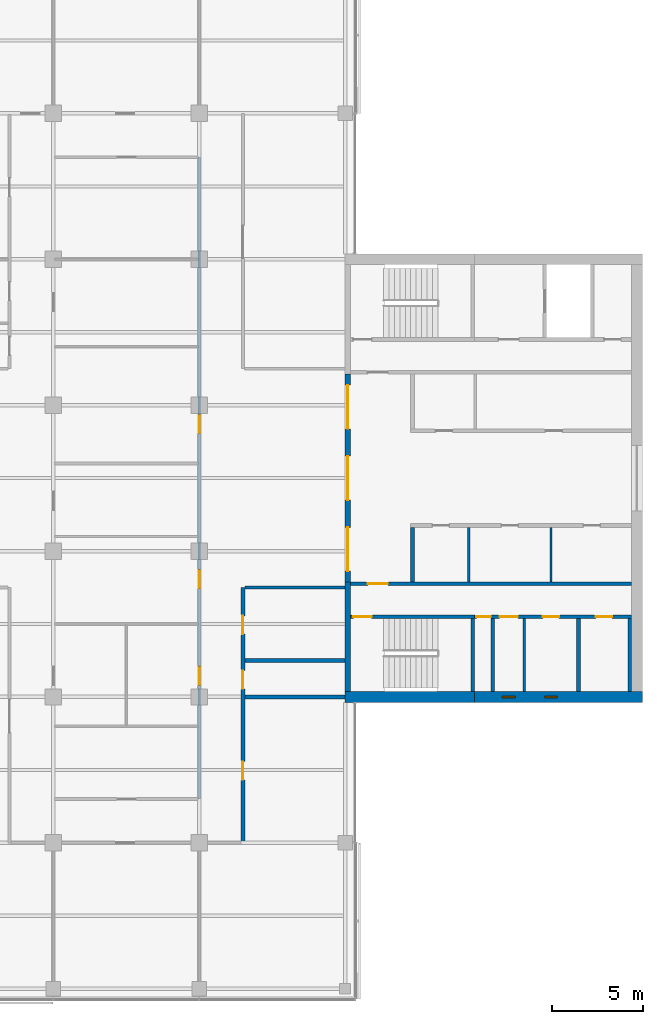
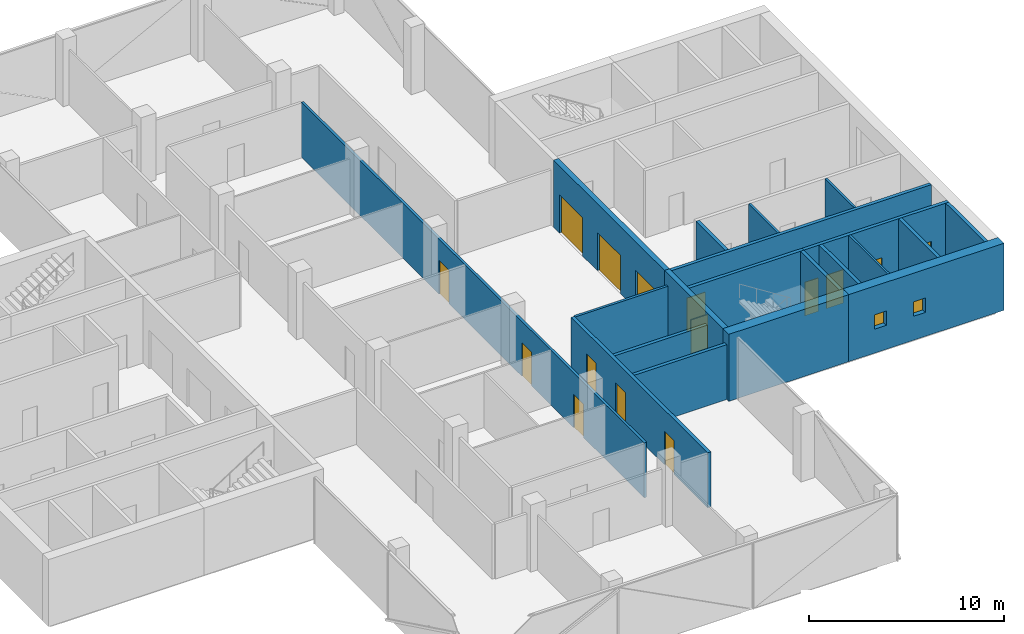
# One storey, part 10 of 15: 20 walls, 15 doors, 2 windows, 17 openings.
"""IFC4 building model written with IfcOpenShell, lengths in metres."""

from ifc_helpers import new_model, si_unit, direction, frame, frame_2d, origin, place, context, subcontext, project, spatial, rectangle, extrude, material, layer, layer_set, constituent, constituent_set, type_object, element, fill, save


model = new_model("IFC4")

# Units and contexts
model_context = context("Model", 3, precision=1e-05, world=origin(), true_north=direction((0.0, 1.0)))
body_context = subcontext(model_context, "Body", "Model", "MODEL_VIEW")
ifc_project = project(units=[si_unit("LENGTHUNIT", "METRE"), si_unit("AREAUNIT", "SQUARE_METRE"), si_unit("VOLUMEUNIT", "CUBIC_METRE"), si_unit("PLANEANGLEUNIT", "RADIAN"), si_unit("MASSUNIT", "GRAM", prefix="KILO")], contexts=[model_context])

# Site, building, storey
site_placement = place(None, origin())
site = spatial("IfcSite", under=ifc_project, at=site_placement, CompositionType="ELEMENT")
building_placement = place(site_placement, origin())
building = spatial("IfcBuilding", under=site, at=building_placement, Name="Crosswind Convention Tower", CompositionType="ELEMENT")
storey_placement = place(building_placement, frame((0.0, 0.0, 191.5)))
storey = spatial("IfcBuildingStorey", under=building, at=storey_placement, Name="L40", CompositionType="ELEMENT", Elevation=191.5)

# Wall
ifc_material_1 = material(Name="Concrete blockwork", Category="masonry")
ifc_layer_1 = layer(ifc_material_1, 0.199951171875)
ifc_layer_set_1 = layer_set([ifc_layer_1], Name="Blockwork partition wall 200")
wall_type_1 = type_object("IfcWallType", Name="Blockwork partition wall 200", PredefinedType="PARTITIONING", material=ifc_layer_set_1)
wall_1_placement = place(storey_placement, frame((145.10009765625, 88.300048828125, 0.0), z_axis=(0.0, 0.0, 1.0), x_axis=(0.0, 1.0, 0.0)))
element("IfcWall", 1, at=wall_1_placement, inside=storey, type_object=wall_type_1, Name="Wall MRSE E L40", PredefinedType="PARTITIONING", context=body_context, shape_type="SweptSolid", body=[
    extrude(rectangle(XDim=4.0, YDim=0.199951171875, at=frame_2d((2.0, 0.0))), origin(), (0.0, 0.0, 1.0), 4.199951171875),
])

# Wall, openings, doors
ifc_layer_2 = layer(ifc_material_1, 0.199951171875)
ifc_layer_set_2 = layer_set([ifc_layer_2], Name="COMPARTMENT WALL 200 BLOCKWORK")
wall_type_2 = type_object("IfcWallType", Name="COMPARTMENT WALL 200 BLOCKWORK", PredefinedType="SOLIDWALL", material=ifc_layer_set_2)
wall_2_placement = place(storey_placement, frame((131.39990234375, 80.0, 0.0), z_axis=(0.0, 0.0, 1.0), x_axis=(0.0, 1.0, 0.0)))
wall_2 = element("IfcWall", 2, at=wall_2_placement, inside=storey, type_object=wall_type_2, Name="Compartment wall WT42", PredefinedType="SOLIDWALL", context=body_context, shape_type="SweptSolid", body=[
    extrude(rectangle(XDim=14.0, YDim=0.199951171875, at=frame_2d((7.0, 0.0))), origin(), (0.0, 0.0, 1.0), 3.439697265625),
])
opening_1_placement = place(wall_2_placement, frame((11.449951171875, 0.0, 0.0)))
opening_1 = element("IfcOpeningElement", 3, at=opening_1_placement, cuts=wall_2, Name="Opening L40-51", PredefinedType="OPENING", context=body_context, shape_type="SweptSolid", body=[
    extrude(rectangle(XDim=1.0, YDim=2.10009765625, at=frame_2d((0.5, 1.050048828125))), frame((0.0, 0.10986328125, 0.0), z_axis=(0.0, -1.0, 0.0), x_axis=(1.0, 0.0, 0.0)), (0.0, 0.0, 1.0), 0.219970703125),
])
opening_2_placement = place(wall_2_placement, frame((8.449951171875, 0.0, 0.0)))
opening_2 = element("IfcOpeningElement", 4, at=opening_2_placement, cuts=wall_2, Name="Opening L40-52", PredefinedType="OPENING", context=body_context, shape_type="SweptSolid", body=[
    extrude(rectangle(XDim=1.0, YDim=2.10009765625, at=frame_2d((0.5, 1.050048828125))), frame((0.0, 0.10986328125, 0.0), z_axis=(0.0, -1.0, 0.0), x_axis=(1.0, 0.0, 0.0)), (0.0, 0.0, 1.0), 0.219970703125),
])
opening_3_placement = place(wall_2_placement, frame((3.449951171875, 0.0, 0.0)))
opening_3 = element("IfcOpeningElement", 5, at=opening_3_placement, cuts=wall_2, Name="Opening L40-53", PredefinedType="OPENING", context=body_context, shape_type="SweptSolid", body=[
    extrude(rectangle(XDim=1.0, YDim=2.10009765625, at=frame_2d((0.5, 1.050048828125))), frame((0.0, 0.10986328125, 0.0), z_axis=(0.0, -1.0, 0.0), x_axis=(1.0, 0.0, 0.0)), (0.0, 0.0, 1.0), 0.219970703125),
])
ifc_material_2 = material(Name="Steel fire door", Category="steel")
door_type_1 = type_object("IfcDoorType", Name="PLANT ROOM DOOR 1000X2100 FD60", OperationType="NOTDEFINED", PredefinedType="DOOR", material=ifc_material_2)
door_1_placement = place(opening_2_placement, frame((1.0, 0.0, 0.0), z_axis=(0.0, 0.0, 1.0), x_axis=(-1.0, 0.0, 0.0)))
door_1 = element("IfcDoor", 6, at=door_1_placement, inside=storey, type_object=door_type_1, Name="Door L40-52", ObjectType="D43", OperationType="SINGLE_SWING_RIGHT", OverallHeight=2.10009765625, OverallWidth=1.0, PredefinedType="DOOR", context=body_context, shape_type="SweptSolid", body=[
    extrude(rectangle(XDim=1.0, YDim=2.10009765625, at=frame_2d((0.5, 1.050048828125))), frame((0.0, 0.02490234375, 0.0), z_axis=(0.0, -1.0, 0.0), x_axis=(1.0, 0.0, 0.0)), (0.0, 0.0, 1.0), 0.050048828125),
])
fill(opening_2, door_1)
ifc_material_3 = material(Name="Timber fire door", Category="wood")
door_type_2 = type_object("IfcDoorType", Name="TENANCY ENTRANCE DOOR 1000X2100 FD30S", OperationType="NOTDEFINED", PredefinedType="DOOR", material=ifc_material_3)
door_2_placement = place(opening_1_placement, frame((1.0, 0.0, 0.0), z_axis=(0.0, 0.0, 1.0), x_axis=(-1.0, 0.0, 0.0)))
door_2 = element("IfcDoor", 7, at=door_2_placement, inside=storey, type_object=door_type_2, Name="Door L40-51", ObjectType="D41", OperationType="SINGLE_SWING_RIGHT", OverallHeight=2.10009765625, OverallWidth=1.0, PredefinedType="DOOR", context=body_context, shape_type="SweptSolid", body=[
    extrude(rectangle(XDim=1.0, YDim=2.10009765625, at=frame_2d((0.5, 1.050048828125))), frame((0.0, 0.02490234375, 0.0), z_axis=(0.0, -1.0, 0.0), x_axis=(1.0, 0.0, 0.0)), (0.0, 0.0, 1.0), 0.050048828125),
])
fill(opening_1, door_2)
door_3_placement = place(opening_3_placement, frame((1.0, 0.0, 0.0), z_axis=(0.0, 0.0, 1.0), x_axis=(-1.0, 0.0, 0.0)))
door_3 = element("IfcDoor", 8, at=door_3_placement, inside=storey, type_object=door_type_2, Name="Door L40-53", ObjectType="D41", OperationType="SINGLE_SWING_LEFT", OverallHeight=2.10009765625, OverallWidth=1.0, PredefinedType="DOOR", context=body_context, shape_type="SweptSolid", body=[
    extrude(rectangle(XDim=1.0, YDim=2.10009765625, at=frame_2d((0.5, 1.050048828125))), frame((0.0, 0.02490234375, 0.0), z_axis=(0.0, -1.0, 0.0), x_axis=(1.0, 0.0, 0.0)), (0.0, 0.0, 1.0), 0.050048828125),
])
fill(opening_3, door_3)

# Walls
for number, where, z_axis, x_axis, name in (
    (9, (131.5, 88.0, 0.0), (0.0, 0.0, 1.0), (1.0, 0.0, 0.0), "Compartment wall WT42"),
    (10, (131.5, 90.0, 0.0), (0.0, 0.0, 1.0), (1.0, 0.0, 0.0), "Compartment wall WT42"),
):
    element("IfcWall", number, at=place(storey_placement, frame(where, z_axis=z_axis, x_axis=x_axis)), inside=storey, type_object=wall_type_2, Name=name, PredefinedType="SOLIDWALL", context=body_context, shape_type="SweptSolid", body=[
        extrude(rectangle(XDim=5.5, YDim=0.199951171875, at=frame_2d((2.75, 0.0))), origin(), (0.0, 0.0, 1.0), 3.439697265625),
    ])

# Wall, openings, doors
ifc_material_4 = material(Name="Concrete C50/60", Category="concrete")
ifc_layer_3 = layer(ifc_material_4, 0.300048828125)
ifc_layer_set_3 = layer_set([ifc_layer_3], Name="Concrete C50/60")
wall_type_3 = type_object("IfcWallType", Name="Concrete inner core wall 300", PredefinedType="SHEAR", material=ifc_layer_set_3)
wall_3_placement = place(storey_placement, frame((137.14990234375, 94.300048828125, 0.0), z_axis=(0.0, 0.0, 1.0), x_axis=(0.0, 1.0, 0.0)))
wall_3 = element("IfcWall", 11, at=wall_3_placement, inside=storey, type_object=wall_type_3, Name="Wall SCR E L40", PredefinedType="SHEAR", context=body_context, shape_type="SweptSolid", body=[
    extrude(rectangle(XDim=11.39990234375, YDim=0.300048828125, at=frame_2d((5.699951171875, 0.0))), origin(), (0.0, 0.0, 1.0), 4.199951171875),
])
opening_4_placement = place(wall_3_placement, frame((0.60009765625, 0.0, 0.0)))
opening_4 = element("IfcOpeningElement", 12, at=opening_4_placement, cuts=wall_3, Name="Opening D100", PredefinedType="OPENING", context=body_context, shape_type="SweptSolid", body=[
    extrude(rectangle(XDim=2.39990234375, YDim=2.39990234375, at=frame_2d((1.199951171875, 1.199951171875))), frame((0.0, 0.159912109375, 0.0), z_axis=(0.0, -1.0, 0.0), x_axis=(1.0, 0.0, 0.0)), (0.0, 0.0, 1.0), 0.320068359375),
])
opening_5_placement = place(wall_3_placement, frame((4.5, 0.0, 0.0)))
opening_5 = element("IfcOpeningElement", 13, at=opening_5_placement, cuts=wall_3, Name="Opening D100", PredefinedType="OPENING", context=body_context, shape_type="SweptSolid", body=[
    extrude(rectangle(XDim=2.39990234375, YDim=2.39990234375, at=frame_2d((1.199951171875, 1.199951171875))), frame((0.0, 0.159912109375, 0.0), z_axis=(0.0, -1.0, 0.0), x_axis=(1.0, 0.0, 0.0)), (0.0, 0.0, 1.0), 0.320068359375),
])
opening_6_placement = place(wall_3_placement, frame((8.39990234375, 0.0, 0.0)))
opening_6 = element("IfcOpeningElement", 14, at=opening_6_placement, cuts=wall_3, Name="Opening D100", PredefinedType="OPENING", context=body_context, shape_type="SweptSolid", body=[
    extrude(rectangle(XDim=2.39990234375, YDim=2.39990234375, at=frame_2d((1.199951171875, 1.199951171875))), frame((0.0, 0.159912109375, 0.0), z_axis=(0.0, -1.0, 0.0), x_axis=(1.0, 0.0, 0.0)), (0.0, 0.0, 1.0), 0.320068359375),
])
ifc_material_5 = material(Name="Steel fire door with glazed vision panels", Category="steel")
door_type_3 = type_object("IfcDoorType", Name="Fire-rated double door 2400x2400", OperationType="DOUBLE_DOOR_SINGLE_SWING", PredefinedType="DOOR", material=ifc_material_5)
door_4_placement = place(opening_4_placement, origin())
door_4 = element("IfcDoor", 15, at=door_4_placement, inside=storey, type_object=door_type_3, Name="Lobby door 1 L40", ObjectType="D100", OperationType="DOUBLE_DOOR_SINGLE_SWING", OverallHeight=2.39990234375, OverallWidth=2.39990234375, PredefinedType="DOOR", context=body_context, shape_type="SweptSolid", body=[
    extrude(rectangle(XDim=2.39990234375, YDim=2.39990234375, at=frame_2d((1.199951171875, 1.199951171875))), frame((0.0, 0.02490234375, 0.0), z_axis=(0.0, -1.0, 0.0), x_axis=(1.0, 0.0, 0.0)), (0.0, 0.0, 1.0), 0.050048828125),
])
fill(opening_4, door_4)
door_5_placement = place(opening_5_placement, origin())
door_5 = element("IfcDoor", 16, at=door_5_placement, inside=storey, type_object=door_type_3, Name="Lobby door 2 L40", ObjectType="D100", OperationType="DOUBLE_DOOR_SINGLE_SWING", OverallHeight=2.39990234375, OverallWidth=2.39990234375, PredefinedType="DOOR", context=body_context, shape_type="SweptSolid", body=[
    extrude(rectangle(XDim=2.39990234375, YDim=2.39990234375, at=frame_2d((1.199951171875, 1.199951171875))), frame((0.0, 0.02490234375, 0.0), z_axis=(0.0, -1.0, 0.0), x_axis=(1.0, 0.0, 0.0)), (0.0, 0.0, 1.0), 0.050048828125),
])
fill(opening_5, door_5)
door_6_placement = place(opening_6_placement, origin())
door_6 = element("IfcDoor", 17, at=door_6_placement, inside=storey, type_object=door_type_3, Name="Lobby door 3 L40", ObjectType="D100", OperationType="DOUBLE_DOOR_SINGLE_SWING", OverallHeight=2.39990234375, OverallWidth=2.39990234375, PredefinedType="DOOR", context=body_context, shape_type="SweptSolid", body=[
    extrude(rectangle(XDim=2.39990234375, YDim=2.39990234375, at=frame_2d((1.199951171875, 1.199951171875))), frame((0.0, 0.02490234375, 0.0), z_axis=(0.0, -1.0, 0.0), x_axis=(1.0, 0.0, 0.0)), (0.0, 0.0, 1.0), 0.050048828125),
])
fill(opening_6, door_6)

# Walls
wall_4_placement = place(storey_placement, frame((137.14990234375, 88.300048828125, 0.0), z_axis=(0.0, 0.0, 1.0), x_axis=(0.0, 1.0, 0.0)))
element("IfcWall", 18, at=wall_4_placement, inside=storey, type_object=wall_type_3, Name="Wall EM E L40", PredefinedType="SHEAR", context=body_context, shape_type="SweptSolid", body=[
    extrude(rectangle(XDim=6.0, YDim=0.300048828125, at=frame_2d((3.0, 0.0))), origin(), (0.0, 0.0, 1.0), 4.199951171875),
])
ifc_layer_4 = layer(ifc_material_4, 0.199951171875)
ifc_layer_set_4 = layer_set([ifc_layer_4], Name="Concrete C50/60")
wall_type_4 = type_object("IfcWallType", Name="Concrete shaft and stair wall 200", PredefinedType="SHEAR", material=ifc_layer_set_4)
wall_5_placement = place(storey_placement, frame((140.699951171875, 94.300048828125, 0.0), z_axis=(0.0, 0.0, 1.0), x_axis=(0.0, 1.0, 0.0)))
element("IfcWall", 19, at=wall_5_placement, inside=storey, type_object=wall_type_4, Name="Wall RMEND E L40", PredefinedType="SHEAR", context=body_context, shape_type="SweptSolid", body=[
    extrude(rectangle(XDim=3.0, YDim=0.199951171875, at=frame_2d((1.5, 0.0))), origin(), (0.0, 0.0, 1.0), 4.199951171875),
])

# Wall, opening, door
wall_6_placement = place(storey_placement, frame((137.300048828125, 94.199951171875, 0.0), z_axis=(0.0, 0.0, 1.0), x_axis=(1.0, 0.0, 0.0)))
wall_6 = element("IfcWall", 20, at=wall_6_placement, inside=storey, type_object=wall_type_4, Name="Wall HM E L40", PredefinedType="SHEAR", context=body_context, shape_type="SweptSolid", body=[
    extrude(rectangle(XDim=15.39990234375, YDim=0.199951171875, at=frame_2d((7.699951171875, 0.0))), origin(), (0.0, 0.0, 1.0), 4.199951171875),
])
opening_7_placement = place(wall_6_placement, frame((0.949951171875, 0.0, 0.0)))
opening_7 = element("IfcOpeningElement", 21, at=opening_7_placement, cuts=wall_6, Name="Opening D104", PredefinedType="OPENING", context=body_context, shape_type="SweptSolid", body=[
    extrude(rectangle(XDim=1.10009765625, YDim=2.10009765625, at=frame_2d((0.550048828125, 1.050048828125))), frame((0.0, 0.10986328125, 0.0), z_axis=(0.0, -1.0, 0.0), x_axis=(1.0, 0.0, 0.0)), (0.0, 0.0, 1.0), 0.219970703125),
])
door_type_4 = type_object("IfcDoorType", Name="Fire-rated single door 1100x2100", OperationType="NOTDEFINED", PredefinedType="DOOR", material=ifc_material_2)
door_7_placement = place(opening_7_placement, origin())
door_7 = element("IfcDoor", 22, at=door_7_placement, inside=storey, type_object=door_type_4, Name="Corridor door L40", ObjectType="D104", OperationType="SINGLE_SWING_LEFT", OverallHeight=2.10009765625, OverallWidth=1.10009765625, PredefinedType="DOOR", context=body_context, shape_type="SweptSolid", body=[
    extrude(rectangle(XDim=1.10009765625, YDim=2.10009765625, at=frame_2d((0.550048828125, 1.050048828125))), frame((0.0, 0.02490234375, 0.0), z_axis=(0.0, -1.0, 0.0), x_axis=(1.0, 0.0, 0.0)), (0.0, 0.0, 1.0), 0.050048828125),
])
fill(opening_7, door_7)

# Walls
for number, where, z_axis, x_axis, name in (
    (23, (144.0, 88.300048828125, 0.0), (0.0, 0.0, 1.0), (0.0, 1.0, 0.0), "Wall MSE E L40"),
    (24, (149.800048828125, 88.300048828125, 0.0), (0.0, 0.0, 1.0), (0.0, 1.0, 0.0), "Wall MFSW E L40"),
    (25, (152.60009765625, 88.300048828125, 0.0), (0.0, 0.0, 1.0), (0.0, 1.0, 0.0), "Wall MFSE E L40"),
):
    element("IfcWall", number, at=place(storey_placement, frame(where, z_axis=z_axis, x_axis=x_axis)), inside=storey, type_object=wall_type_4, Name=name, PredefinedType="SHEAR", context=body_context, shape_type="SweptSolid", body=[
        extrude(rectangle(XDim=4.0, YDim=0.199951171875, at=frame_2d((2.0, 0.0))), origin(), (0.0, 0.0, 1.0), 4.199951171875),
    ])

# Wall, opening, door
wall_7_placement = place(storey_placement, frame((137.300048828125, 92.39990234375, 0.0), z_axis=(0.0, 0.0, 1.0), x_axis=(1.0, 0.0, 0.0)))
wall_7 = element("IfcWall", 26, at=wall_7_placement, inside=storey, type_object=wall_type_4, Name="Wall MCW E L40", PredefinedType="SHEAR", context=body_context, shape_type="SweptSolid", body=[
    extrude(rectangle(XDim=6.800048828125, YDim=0.199951171875, at=frame_2d((3.39990234375, 0.0))), origin(), (0.0, 0.0, 1.0), 4.199951171875),
])
opening_8_placement = place(wall_7_placement, frame((0.14990234375, 0.0, 0.0)))
opening_8 = element("IfcOpeningElement", 27, at=opening_8_placement, cuts=wall_7, Name="Opening D103", PredefinedType="OPENING", context=body_context, shape_type="SweptSolid", body=[
    extrude(rectangle(XDim=1.0, YDim=2.10009765625, at=frame_2d((0.5, 1.050048828125))), frame((0.0, 0.10986328125, 0.0), z_axis=(0.0, -1.0, 0.0), x_axis=(1.0, 0.0, 0.0)), (0.0, 0.0, 1.0), 0.219970703125),
])
door_type_5 = type_object("IfcDoorType", Name="Fire-rated single door 1000x2100", OperationType="NOTDEFINED", PredefinedType="DOOR", material=ifc_material_2)
door_8_placement = place(opening_8_placement, frame((1.0, 0.0, 0.0), z_axis=(0.0, 0.0, 1.0), x_axis=(-1.0, 0.0, 0.0)))
door_8 = element("IfcDoor", 28, at=door_8_placement, inside=storey, type_object=door_type_5, Name="Stair ST2 door L40", ObjectType="D103", OperationType="SINGLE_SWING_RIGHT", OverallHeight=2.10009765625, OverallWidth=1.0, PredefinedType="DOOR", context=body_context, shape_type="SweptSolid", body=[
    extrude(rectangle(XDim=1.0, YDim=2.10009765625, at=frame_2d((0.5, 1.050048828125))), frame((0.0, 0.02490234375, 0.0), z_axis=(0.0, -1.0, 0.0), x_axis=(1.0, 0.0, 0.0)), (0.0, 0.0, 1.0), 0.050048828125),
])
fill(opening_8, door_8)

# Wall, openings, doors
wall_8_placement = place(storey_placement, frame((144.10009765625, 92.39990234375, 0.0), z_axis=(0.0, 0.0, 1.0), x_axis=(1.0, 0.0, 0.0)))
wall_8 = element("IfcWall", 29, at=wall_8_placement, inside=storey, type_object=wall_type_4, Name="Wall MCX E L40", PredefinedType="SHEAR", context=body_context, shape_type="SweptSolid", body=[
    extrude(rectangle(XDim=8.599853515625, YDim=0.199951171875, at=frame_2d((4.2998046875, 0.0))), origin(), (0.0, 0.0, 1.0), 4.199951171875),
])
opening_9_placement = place(wall_8_placement, frame((0.10009765625, 0.0, 0.0)))
opening_9 = element("IfcOpeningElement", 30, at=opening_9_placement, cuts=wall_8, Name="Opening D105", PredefinedType="OPENING", context=body_context, shape_type="SweptSolid", body=[
    extrude(rectangle(XDim=0.800048828125, YDim=2.10009765625, at=frame_2d((0.39990234375, 1.050048828125))), frame((0.0, 0.10986328125, 0.0), z_axis=(0.0, -1.0, 0.0), x_axis=(1.0, 0.0, 0.0)), (0.0, 0.0, 1.0), 0.219970703125),
])
opening_10_placement = place(wall_8_placement, frame((1.378662109375, 0.0, 0.0)))
opening_10 = element("IfcOpeningElement", 31, at=opening_10_placement, cuts=wall_8, Name="Opening D103", PredefinedType="OPENING", context=body_context, shape_type="SweptSolid", body=[
    extrude(rectangle(XDim=1.0, YDim=2.10009765625, at=frame_2d((0.5, 1.050048828125))), frame((0.0, 0.10986328125, 0.0), z_axis=(0.0, -1.0, 0.0), x_axis=(1.0, 0.0, 0.0)), (0.0, 0.0, 1.0), 0.219970703125),
])
opening_11_placement = place(wall_8_placement, frame((3.7412109375, 0.0, 0.0)))
opening_11 = element("IfcOpeningElement", 32, at=opening_11_placement, cuts=wall_8, Name="Opening D106", PredefinedType="OPENING", context=body_context, shape_type="SweptSolid", body=[
    extrude(rectangle(XDim=0.89990234375, YDim=2.10009765625, at=frame_2d((0.449951171875, 1.050048828125))), frame((0.0, 0.10986328125, 0.0), z_axis=(0.0, -1.0, 0.0), x_axis=(1.0, 0.0, 0.0)), (0.0, 0.0, 1.0), 0.219970703125),
])
opening_12_placement = place(wall_8_placement, frame((6.64990234375, 0.0, 0.0)))
opening_12 = element("IfcOpeningElement", 33, at=opening_12_placement, cuts=wall_8, Name="Opening D106", PredefinedType="OPENING", context=body_context, shape_type="SweptSolid", body=[
    extrude(rectangle(XDim=0.89990234375, YDim=2.10009765625, at=frame_2d((0.449951171875, 1.050048828125))), frame((0.0, 0.10986328125, 0.0), z_axis=(0.0, -1.0, 0.0), x_axis=(1.0, 0.0, 0.0)), (0.0, 0.0, 1.0), 0.219970703125),
])
door_9_placement = place(opening_10_placement, frame((1.0, 0.0, 0.0), z_axis=(0.0, 0.0, 1.0), x_axis=(-1.0, 0.0, 0.0)))
door_9 = element("IfcDoor", 34, at=door_9_placement, inside=storey, type_object=door_type_5, Name="Door to accessible wc L40", ObjectType="D103", OperationType="SINGLE_SWING_LEFT", OverallHeight=2.10009765625, OverallWidth=1.0, PredefinedType="DOOR", context=body_context, shape_type="SweptSolid", body=[
    extrude(rectangle(XDim=1.0, YDim=2.10009765625, at=frame_2d((0.5, 1.050048828125))), frame((0.0, 0.02490234375, 0.0), z_axis=(0.0, -1.0, 0.0), x_axis=(1.0, 0.0, 0.0)), (0.0, 0.0, 1.0), 0.050048828125),
])
fill(opening_10, door_9)
door_type_6 = type_object("IfcDoorType", Name="Riser access door 800x2100", OperationType="NOTDEFINED", PredefinedType="DOOR", material=ifc_material_2)
door_10_placement = place(opening_9_placement, frame((0.800048828125, 0.0, 0.0), z_axis=(0.0, 0.0, 1.0), x_axis=(-1.0, 0.0, 0.0)))
door_10 = element("IfcDoor", 35, at=door_10_placement, inside=storey, type_object=door_type_6, Name="Riser door L40", ObjectType="D105", OperationType="SINGLE_SWING_LEFT", OverallHeight=2.10009765625, OverallWidth=0.800048828125, PredefinedType="DOOR", context=body_context, shape_type="SweptSolid", body=[
    extrude(rectangle(XDim=0.800048828125, YDim=2.10009765625, at=frame_2d((0.39990234375, 1.050048828125))), frame((0.0, 0.02490234375, 0.0), z_axis=(0.0, -1.0, 0.0), x_axis=(1.0, 0.0, 0.0)), (0.0, 0.0, 1.0), 0.050048828125),
])
fill(opening_9, door_10)
ifc_material_6 = material(Name="Timber door", Category="wood")
door_type_7 = type_object("IfcDoorType", Name="Single leaf door 900x2100", OperationType="NOTDEFINED", PredefinedType="DOOR", material=ifc_material_6)
door_11_placement = place(opening_11_placement, frame((0.89990234375, 0.0, 0.0), z_axis=(0.0, 0.0, 1.0), x_axis=(-1.0, 0.0, 0.0)))
door_11 = element("IfcDoor", 36, at=door_11_placement, inside=storey, type_object=door_type_7, Name="Door to wc L40", ObjectType="D106", OperationType="SINGLE_SWING_LEFT", OverallHeight=2.10009765625, OverallWidth=0.89990234375, PredefinedType="DOOR", context=body_context, shape_type="SweptSolid", body=[
    extrude(rectangle(XDim=0.89990234375, YDim=2.10009765625, at=frame_2d((0.449951171875, 1.050048828125))), frame((0.0, 0.02490234375, 0.0), z_axis=(0.0, -1.0, 0.0), x_axis=(1.0, 0.0, 0.0)), (0.0, 0.0, 1.0), 0.050048828125),
])
fill(opening_11, door_11)
door_12_placement = place(opening_12_placement, frame((0.89990234375, 0.0, 0.0), z_axis=(0.0, 0.0, 1.0), x_axis=(-1.0, 0.0, 0.0)))
door_12 = element("IfcDoor", 37, at=door_12_placement, inside=storey, type_object=door_type_7, Name="Door to wc L40", ObjectType="D106", OperationType="SINGLE_SWING_LEFT", OverallHeight=2.10009765625, OverallWidth=0.89990234375, PredefinedType="DOOR", context=body_context, shape_type="SweptSolid", body=[
    extrude(rectangle(XDim=0.89990234375, YDim=2.10009765625, at=frame_2d((0.449951171875, 1.050048828125))), frame((0.0, 0.02490234375, 0.0), z_axis=(0.0, -1.0, 0.0), x_axis=(1.0, 0.0, 0.0)), (0.0, 0.0, 1.0), 0.050048828125),
])
fill(opening_12, door_12)

# Walls
ifc_material_7 = material(Name="Gypsum plasterboard partition", Category="gypsum")
ifc_layer_5 = layer(ifc_material_7, 0.125)
ifc_layer_set_5 = layer_set([ifc_layer_5], Name="Drywall partition wall 125")
wall_type_5 = type_object("IfcWallType", Name="Drywall partition wall 125", PredefinedType="PARTITIONING", material=ifc_layer_set_5)
for number, where, z_axis, x_axis, name in (
    (38, (143.77490234375, 94.300048828125, 0.0), (0.0, 0.0, 1.0), (0.0, 1.0, 0.0), "Wall RMP1 E L40"),
    (39, (148.297119140625, 94.300048828125, 0.0), (0.0, 0.0, 1.0), (0.0, 1.0, 0.0), "Wall RMP2 E L40"),
):
    element("IfcWall", number, at=place(storey_placement, frame(where, z_axis=z_axis, x_axis=x_axis)), inside=storey, type_object=wall_type_5, Name=name, PredefinedType="PARTITIONING", context=body_context, shape_type="SweptSolid", body=[
        extrude(rectangle(XDim=3.0, YDim=0.125, at=frame_2d((1.5, 0.0))), origin(), (0.0, 0.0, 1.0), 4.199951171875),
    ])
wall_9_placement = place(storey_placement, frame((146.820068359375, 88.300048828125, 0.0), z_axis=(0.0, 0.0, 1.0), x_axis=(0.0, 1.0, 0.0)))
element("IfcWall", 40, at=wall_9_placement, inside=storey, type_object=wall_type_5, Name="Wall MWP1 E L40", PredefinedType="PARTITIONING", context=body_context, shape_type="SweptSolid", body=[
    extrude(rectangle(XDim=4.0, YDim=0.125, at=frame_2d((2.0, 0.0))), origin(), (0.0, 0.0, 1.0), 4.199951171875),
])

# Wall, openings, doors
ifc_material_8 = material(Name="Fire-board partition with mineral wool", Category="gypsum")
ifc_layer_6 = layer(ifc_material_8, 0.14990234375)
ifc_layer_set_6 = layer_set([ifc_layer_6], Name="TENANCY WALL 150 TWO-HOUR BOARD")
wall_type_6 = type_object("IfcWallType", Name="TENANCY WALL 150 TWO-HOUR BOARD", PredefinedType="PARTITIONING", material=ifc_layer_set_6)
wall_10_placement = place(storey_placement, frame((129.0, 82.39990234375, 0.0), z_axis=(0.0, 0.0, 1.0), x_axis=(0.0, 1.0, 0.0)))
wall_10 = element("IfcWall", 41, at=wall_10_placement, inside=storey, type_object=wall_type_6, Name="Tenancy wall WT41", PredefinedType="PARTITIONING", context=body_context, shape_type="SweptSolid", body=[
    extrude(rectangle(XDim=35.2001953125, YDim=0.14990234375, at=frame_2d((17.60009765625, 0.0))), origin(), (0.0, 0.0, 1.0), 3.439697265625),
])
opening_13_placement = place(wall_10_placement, frame((6.25, 0.0, 0.0)))
opening_13 = element("IfcOpeningElement", 42, at=opening_13_placement, cuts=wall_10, Name="Opening L40-63", PredefinedType="OPENING", context=body_context, shape_type="SweptSolid", body=[
    extrude(rectangle(XDim=1.0, YDim=2.10009765625, at=frame_2d((0.5, 1.050048828125))), frame((0.0, 0.0849609375, 0.0), z_axis=(0.0, -1.0, 0.0), x_axis=(1.0, 0.0, 0.0)), (0.0, 0.0, 1.0), 0.169921875),
])
opening_14_placement = place(wall_10_placement, frame((11.550048828125, 0.0, 0.0)))
opening_14 = element("IfcOpeningElement", 43, at=opening_14_placement, cuts=wall_10, Name="Opening L40-64", PredefinedType="OPENING", context=body_context, shape_type="SweptSolid", body=[
    extrude(rectangle(XDim=1.0, YDim=2.10009765625, at=frame_2d((0.5, 1.050048828125))), frame((0.0, 0.0849609375, 0.0), z_axis=(0.0, -1.0, 0.0), x_axis=(1.0, 0.0, 0.0)), (0.0, 0.0, 1.0), 0.169921875),
])
opening_15_placement = place(wall_10_placement, frame((20.050048828125, 0.0, 0.0)))
opening_15 = element("IfcOpeningElement", 44, at=opening_15_placement, cuts=wall_10, Name="Opening L40-66", PredefinedType="OPENING", context=body_context, shape_type="SweptSolid", body=[
    extrude(rectangle(XDim=1.0, YDim=2.10009765625, at=frame_2d((0.5, 1.050048828125))), frame((0.0, 0.0849609375, 0.0), z_axis=(0.0, -1.0, 0.0), x_axis=(1.0, 0.0, 0.0)), (0.0, 0.0, 1.0), 0.169921875),
])
door_13_placement = place(opening_13_placement, origin())
door_13 = element("IfcDoor", 45, at=door_13_placement, inside=storey, type_object=door_type_2, Name="Door L40-63", ObjectType="D41", OperationType="SINGLE_SWING_LEFT", OverallHeight=2.10009765625, OverallWidth=1.0, PredefinedType="DOOR", context=body_context, shape_type="SweptSolid", body=[
    extrude(rectangle(XDim=1.0, YDim=2.10009765625, at=frame_2d((0.5, 1.050048828125))), frame((0.0, 0.02490234375, 0.0), z_axis=(0.0, -1.0, 0.0), x_axis=(1.0, 0.0, 0.0)), (0.0, 0.0, 1.0), 0.050048828125),
])
fill(opening_13, door_13)
door_14_placement = place(opening_14_placement, origin())
door_14 = element("IfcDoor", 46, at=door_14_placement, inside=storey, type_object=door_type_2, Name="Door L40-64", ObjectType="D41", OperationType="SINGLE_SWING_RIGHT", OverallHeight=2.10009765625, OverallWidth=1.0, PredefinedType="DOOR", context=body_context, shape_type="SweptSolid", body=[
    extrude(rectangle(XDim=1.0, YDim=2.10009765625, at=frame_2d((0.5, 1.050048828125))), frame((0.0, 0.02490234375, 0.0), z_axis=(0.0, -1.0, 0.0), x_axis=(1.0, 0.0, 0.0)), (0.0, 0.0, 1.0), 0.050048828125),
])
fill(opening_14, door_14)
door_15_placement = place(opening_15_placement, origin())
door_15 = element("IfcDoor", 47, at=door_15_placement, inside=storey, type_object=door_type_2, Name="Door L40-66", ObjectType="D41", OperationType="SINGLE_SWING_RIGHT", OverallHeight=2.10009765625, OverallWidth=1.0, PredefinedType="DOOR", context=body_context, shape_type="SweptSolid", body=[
    extrude(rectangle(XDim=1.0, YDim=2.10009765625, at=frame_2d((0.5, 1.050048828125))), frame((0.0, 0.02490234375, 0.0), z_axis=(0.0, -1.0, 0.0), x_axis=(1.0, 0.0, 0.0)), (0.0, 0.0, 1.0), 0.050048828125),
])
fill(opening_15, door_15)

# Walls
wall_11_placement = place(storey_placement, frame((131.5, 94.0, 0.0), z_axis=(0.0, 0.0, 1.0), x_axis=(1.0, 0.0, 0.0)))
element("IfcWall", 48, at=wall_11_placement, inside=storey, type_object=wall_type_6, Name="Tenancy wall WT41", PredefinedType="PARTITIONING", context=body_context, shape_type="SweptSolid", body=[
    extrude(rectangle(XDim=5.5, YDim=0.14990234375, at=frame_2d((2.75, 0.0))), origin(), (0.0, 0.0, 1.0), 3.439697265625),
])
ifc_material_9 = material(Name="Concrete C60/75", Category="concrete")
ifc_constituent_1 = constituent(ifc_material_9, Name="Structure")
ifc_material_10 = material(Name="Terracotta rainscreen", Category="ceramic")
ifc_constituent_2 = constituent(ifc_material_10, Name="Facing")
ifc_constituent_set = constituent_set(constituents=[ifc_constituent_1, ifc_constituent_2], Name="Concrete C60/75, Terracotta rainscreen")
wall_type_7 = type_object("IfcWallType", Name="Terracotta rainscreen on concrete core wall 600", PredefinedType="SHEAR", material=ifc_constituent_set)
wall_12_placement = place(storey_placement, frame((137.0, 88.0, 0.0), z_axis=(0.0, 0.0, 1.0), x_axis=(1.0, 0.0, 0.0)))
element("IfcWall", 49, at=wall_12_placement, inside=storey, type_object=wall_type_7, Name="Wall S1 E L40", PredefinedType="SHEAR", context=body_context, shape_type="SweptSolid", body=[
    extrude(rectangle(XDim=7.10009765625, YDim=0.60009765625, at=frame_2d((3.550048828125, 0.0))), origin(), (0.0, 0.0, 1.0), 4.199951171875),
])

# Wall, openings, windows
wall_13_placement = place(storey_placement, frame((144.10009765625, 88.0, 0.0), z_axis=(0.0, 0.0, 1.0), x_axis=(1.0, 0.0, 0.0)))
wall_13 = element("IfcWall", 50, at=wall_13_placement, inside=storey, type_object=wall_type_7, Name="Wall S2 E L40", PredefinedType="SHEAR", context=body_context, shape_type="SweptSolid", body=[
    extrude(rectangle(XDim=9.199951171875, YDim=0.60009765625, at=frame_2d((4.60009765625, 0.0))), origin(), (0.0, 0.0, 1.0), 4.199951171875),
])
opening_16_placement = place(wall_13_placement, frame((1.52880859375, 0.0, 1.5)))
opening_16 = element("IfcOpeningElement", 51, at=opening_16_placement, cuts=wall_13, Name="Opening W2", PredefinedType="OPENING", context=body_context, shape_type="SweptSolid", body=[
    extrude(rectangle(XDim=0.699951171875, YDim=0.89990234375, at=frame_2d((0.35009765625, 0.449951171875))), frame((0.0, 0.31005859375, 0.0), z_axis=(0.0, -1.0, 0.0), x_axis=(1.0, 0.0, 0.0)), (0.0, 0.0, 1.0), 0.6201171875),
])
opening_17_placement = place(wall_13_placement, frame((3.84130859375, 0.0, 1.5)))
opening_17 = element("IfcOpeningElement", 52, at=opening_17_placement, cuts=wall_13, Name="Opening W2", PredefinedType="OPENING", context=body_context, shape_type="SweptSolid", body=[
    extrude(rectangle(XDim=0.699951171875, YDim=0.89990234375, at=frame_2d((0.35009765625, 0.449951171875))), frame((0.0, 0.31005859375, 0.0), z_axis=(0.0, -1.0, 0.0), x_axis=(1.0, 0.0, 0.0)), (0.0, 0.0, 1.0), 0.6201171875),
])
ifc_material_11 = material(Name="Obscure glass in aluminium frame", Category="aluminium")
window_type = type_object("IfcWindowType", Name="WC window 700x900", PartitioningType="SINGLE_PANEL", PredefinedType="WINDOW", material=ifc_material_11)
window_1_placement = place(opening_16_placement, origin())
window_1 = element("IfcWindow", 53, at=window_1_placement, inside=storey, type_object=window_type, Name="WC window L40", ObjectType="W2", OverallHeight=0.89990234375, OverallWidth=0.699951171875, PartitioningType="SINGLE_PANEL", PredefinedType="WINDOW", context=body_context, shape_type="SweptSolid", body=[
    extrude(rectangle(XDim=0.699951171875, YDim=0.89990234375, at=frame_2d((0.35009765625, 0.449951171875))), frame((0.0, 0.030029296875, 0.0), z_axis=(0.0, -1.0, 0.0), x_axis=(1.0, 0.0, 0.0)), (0.0, 0.0, 1.0), 0.06005859375),
])
fill(opening_16, window_1)
window_2_placement = place(opening_17_placement, origin())
window_2 = element("IfcWindow", 54, at=window_2_placement, inside=storey, type_object=window_type, Name="WC window L40", ObjectType="W2", OverallHeight=0.89990234375, OverallWidth=0.699951171875, PartitioningType="SINGLE_PANEL", PredefinedType="WINDOW", context=body_context, shape_type="SweptSolid", body=[
    extrude(rectangle(XDim=0.699951171875, YDim=0.89990234375, at=frame_2d((0.35009765625, 0.449951171875))), frame((0.0, 0.030029296875, 0.0), z_axis=(0.0, -1.0, 0.0), x_axis=(1.0, 0.0, 0.0)), (0.0, 0.0, 1.0), 0.06005859375),
])
fill(opening_17, window_2)

save(model, "model.ifc")
